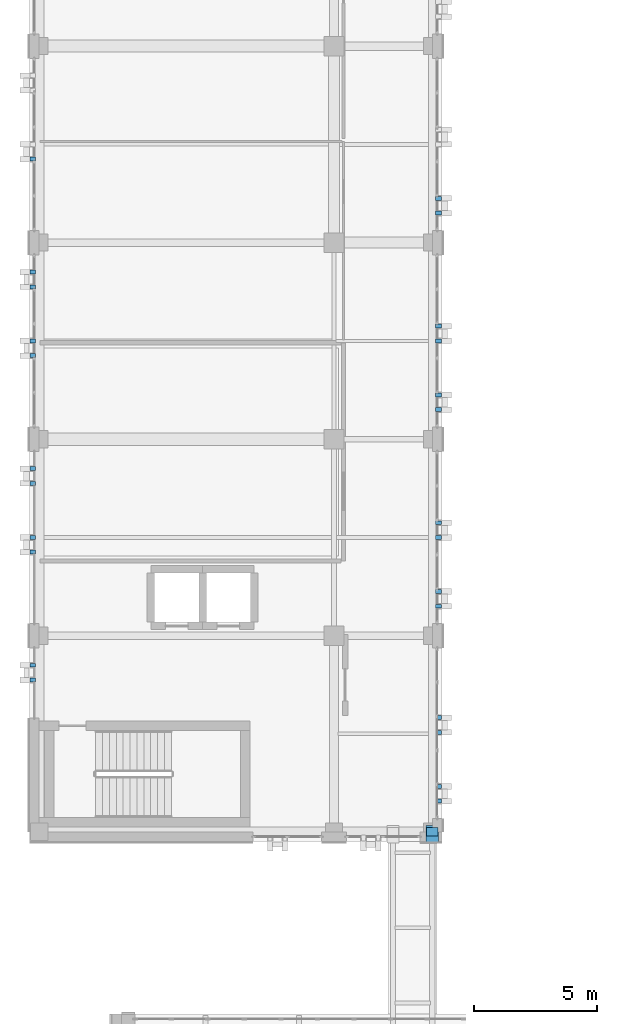
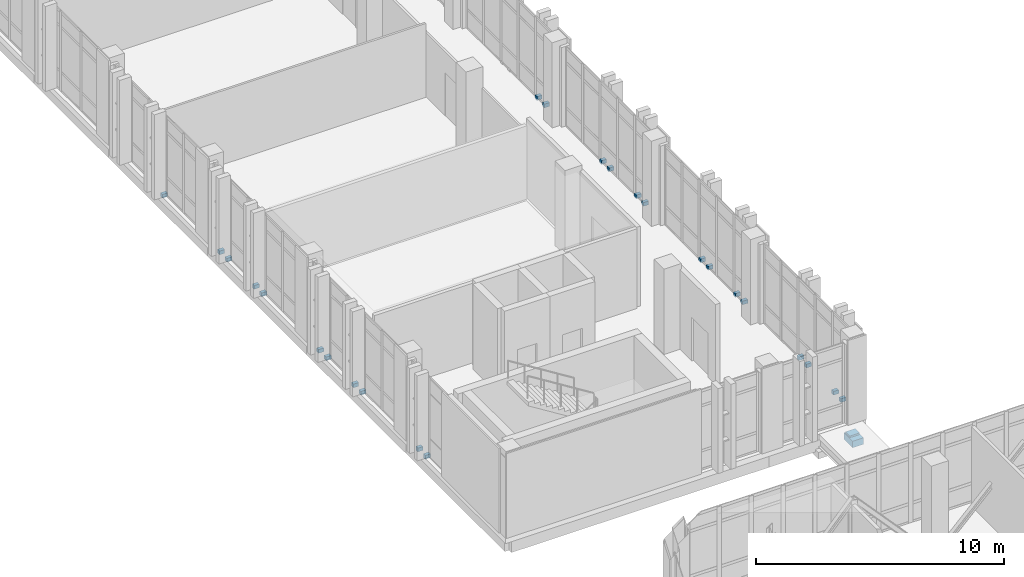
# One storey, part 138 of 158: 27 discrete accessories.
"""IFC4 building model written with IfcOpenShell, lengths in metres."""

from ifc_helpers import new_model, si_unit, direction, frame, origin, origin_2d, place, context, subcontext, project, spatial, rectangle, extrude, material, type_object, element, save


model = new_model("IFC4")

# Units and contexts
model_context = context("Model", 3, precision=1e-05, world=origin(), true_north=direction((0.0, 1.0)))
body_context = subcontext(model_context, "Body", "Model", "MODEL_VIEW")
ifc_project = project(units=[si_unit("LENGTHUNIT", "METRE"), si_unit("AREAUNIT", "SQUARE_METRE"), si_unit("VOLUMEUNIT", "CUBIC_METRE"), si_unit("PLANEANGLEUNIT", "RADIAN"), si_unit("MASSUNIT", "GRAM", prefix="KILO")], contexts=[model_context])

# Site, building, storey
site_placement = place(None, origin())
site = spatial("IfcSite", under=ifc_project, at=site_placement, CompositionType="ELEMENT")
building_placement = place(site_placement, origin())
building = spatial("IfcBuilding", under=site, at=building_placement, Name="Qalavern Law Courts", CompositionType="ELEMENT")
storey_placement = place(building_placement, frame((0.0, 0.0, 18.60009765625)))
storey = spatial("IfcBuildingStorey", under=building, at=storey_placement, Name="L04", CompositionType="ELEMENT", Elevation=18.60009765625)

# Discrete accessories
ifc_material_1 = material(Name="Steel S355", Category="steel")
discrete_accessory_type_1 = type_object("IfcDiscreteAccessoryType", Name="ENV-BRK-FIN", PredefinedType="BRACKET", material=ifc_material_1)
for number, where, z_axis, x_axis, name in (
    (1, (18.659912109375, 42.6650390625, -0.06982421875), (0.0, 0.0, 1.0), (1.0, 0.0, 0.0), "Stone blade anchor bracket 0355"),
    (2, (18.659912109375, 43.264892578125, -0.06982421875), (0.0, 0.0, 1.0), (1.0, 0.0, 0.0), "Stone blade anchor bracket 0356"),
    (3, (18.659912109375, 45.465087890625, -0.06982421875), (0.0, 0.0, 1.0), (1.0, 0.0, 0.0), "Stone blade anchor bracket 0357"),
    (4, (18.659912109375, 46.06494140625, -0.06982421875), (0.0, 0.0, 1.0), (1.0, 0.0, 0.0), "Stone blade anchor bracket 0358"),
    (5, (18.659912109375, 50.60009765625, -0.06982421875), (0.0, 0.0, 1.0), (1.0, 0.0, 0.0), "Stone blade anchor bracket 0359"),
    (6, (18.659912109375, 51.199951171875, -0.06982421875), (0.0, 0.0, 1.0), (1.0, 0.0, 0.0), "Stone blade anchor bracket 0360"),
    (7, (18.659912109375, 53.39990234375, -0.06982421875), (0.0, 0.0, 1.0), (1.0, 0.0, 0.0), "Stone blade anchor bracket 0361"),
    (8, (18.659912109375, 54.0, -0.06982421875), (0.0, 0.0, 1.0), (1.0, 0.0, 0.0), "Stone blade anchor bracket 0362"),
    (9, (18.659912109375, 58.60009765625, -0.06982421875), (0.0, 0.0, 1.0), (1.0, 0.0, 0.0), "Stone blade anchor bracket 0363"),
    (10, (18.659912109375, 59.199951171875, -0.06982421875), (0.0, 0.0, 1.0), (1.0, 0.0, 0.0), "Stone blade anchor bracket 0364"),
    (11, (18.659912109375, 61.39990234375, -0.06982421875), (0.0, 0.0, 1.0), (1.0, 0.0, 0.0), "Stone blade anchor bracket 0365"),
    (12, (18.659912109375, 62.0, -0.06982421875), (0.0, 0.0, 1.0), (1.0, 0.0, 0.0), "Stone blade anchor bracket 0366"),
    (13, (18.659912109375, 66.60009765625, -0.06982421875), (0.0, 0.0, 1.0), (1.0, 0.0, 0.0), "Stone blade anchor bracket 0367"),
    (14, (18.659912109375, 67.199951171875, -0.06982421875), (0.0, 0.0, 1.0), (1.0, 0.0, 0.0), "Stone blade anchor bracket 0368"),
    (15, (2.139892578125, 68.800048828125, -0.06982421875), (0.0, 0.0, 1.0), (-1.0, 0.0, 0.0), "Stone blade anchor bracket 0394"),
    (16, (2.139892578125, 64.199951171875, -0.06982421875), (0.0, 0.0, 1.0), (-1.0, 0.0, 0.0), "Stone blade anchor bracket 0395"),
    (17, (2.139892578125, 63.60009765625, -0.06982421875), (0.0, 0.0, 1.0), (-1.0, 0.0, 0.0), "Stone blade anchor bracket 0396"),
    (18, (2.139892578125, 61.39990234375, -0.06982421875), (0.0, 0.0, 1.0), (-1.0, 0.0, 0.0), "Stone blade anchor bracket 0397"),
    (19, (2.139892578125, 60.800048828125, -0.06982421875), (0.0, 0.0, 1.0), (-1.0, 0.0, 0.0), "Stone blade anchor bracket 0398"),
    (20, (2.139892578125, 56.199951171875, -0.06982421875), (0.0, 0.0, 1.0), (-1.0, 0.0, 0.0), "Stone blade anchor bracket 0399"),
    (21, (2.139892578125, 55.60009765625, -0.06982421875), (0.0, 0.0, 1.0), (-1.0, 0.0, 0.0), "Stone blade anchor bracket 0400"),
    (22, (2.139892578125, 53.39990234375, -0.06982421875), (0.0, 0.0, 1.0), (-1.0, 0.0, 0.0), "Stone blade anchor bracket 0401"),
    (23, (2.139892578125, 52.800048828125, -0.06982421875), (0.0, 0.0, 1.0), (-1.0, 0.0, 0.0), "Stone blade anchor bracket 0402"),
    (24, (2.139892578125, 48.199951171875, -0.06982421875), (0.0, 0.0, 1.0), (-1.0, 0.0, 0.0), "Stone blade anchor bracket 0403"),
    (25, (2.139892578125, 47.60009765625, -0.06982421875), (0.0, 0.0, 1.0), (-1.0, 0.0, 0.0), "Stone blade anchor bracket 0404"),
):
    element("IfcDiscreteAccessory", number, at=place(storey_placement, frame(where, z_axis=z_axis, x_axis=x_axis)), inside=storey, type_object=discrete_accessory_type_1, Name=name, PredefinedType="BRACKET", context=body_context, shape_type="SweptSolid", body=[
        extrude(rectangle(XDim=0.239990234375, YDim=0.159912109375, at=origin_2d()), origin(), (0.0, 0.0, 1.0), 0.179931640625),
    ])
ifc_material_2 = material(Name="Concrete C45/55", Category="concrete")
discrete_accessory_type_2 = type_object("IfcDiscreteAccessoryType", Name="STR-CORBEL-700", PredefinedType="BRACKET", material=ifc_material_2)
discrete_accessory_1_placement = place(storey_placement, frame((18.39990234375, 41.320068359375, -1.17822265625), z_axis=(0.0, 0.0, 1.0), x_axis=(1.0, 0.0, 0.0)))
element("IfcDiscreteAccessory", 26, at=discrete_accessory_1_placement, inside=storey, type_object=discrete_accessory_type_2, Name="Bridge BR-V1-V3 700 mm corbel seat 2 L04", PredefinedType="BRACKET", context=body_context, shape_type="SweptSolid", body=[
    extrude(rectangle(XDim=0.5, YDim=0.699951171875, at=origin_2d()), origin(), (0.0, 0.0, 1.0), 0.320068359375),
])
discrete_accessory_type_3 = type_object("IfcDiscreteAccessoryType", Name="STR-SHOE-PTFE350", PredefinedType="SHOE", material=ifc_material_1)
discrete_accessory_2_placement = place(storey_placement, frame((18.39990234375, 41.419921875, -0.858154296875), z_axis=(0.0, 0.0, 1.0), x_axis=(1.0, 0.0, 0.0)))
element("IfcDiscreteAccessory", 27, at=discrete_accessory_2_placement, inside=storey, type_object=discrete_accessory_type_3, Name="Seismic bridge PTFE sliding bearing 32", PredefinedType="SHOE", context=body_context, shape_type="SweptSolid", body=[
    extrude(rectangle(XDim=0.449951171875, YDim=0.35009765625, at=origin_2d()), origin(), (0.0, 0.0, 1.0), 0.080078125),
])

save(model, "model.ifc")
